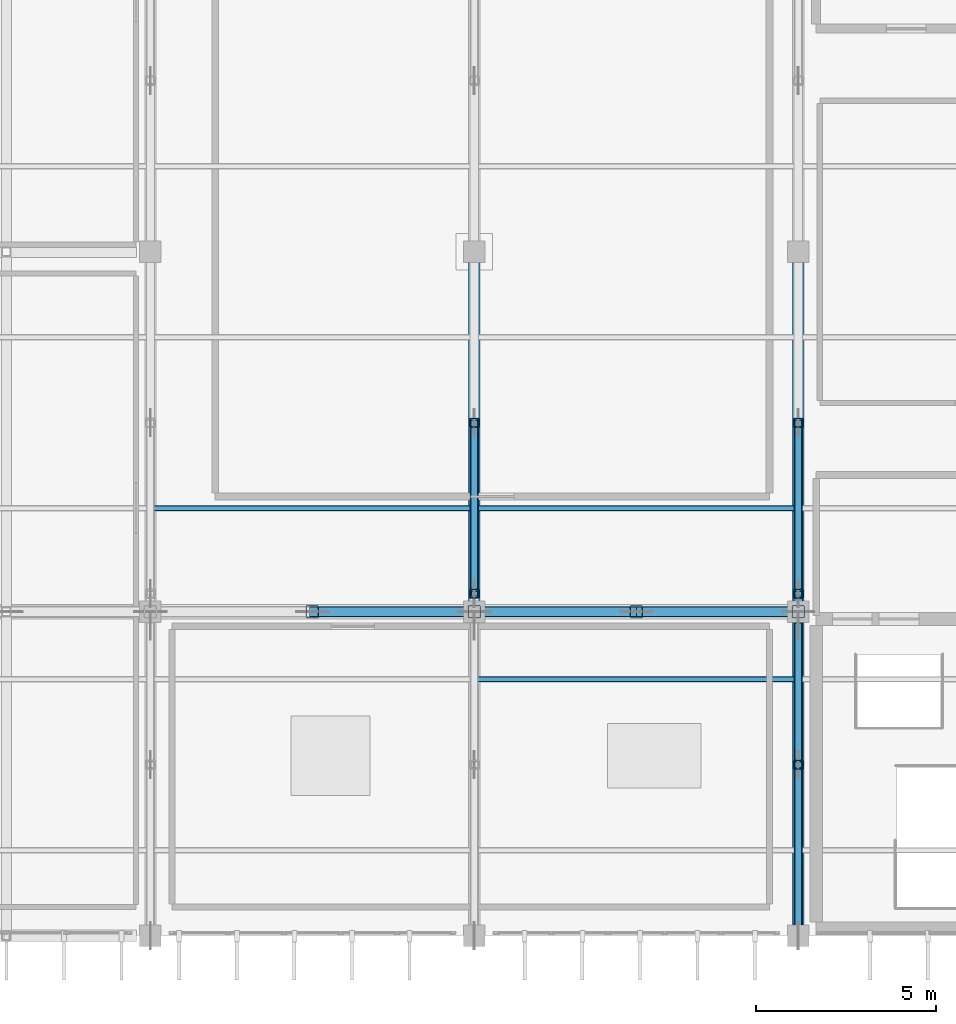
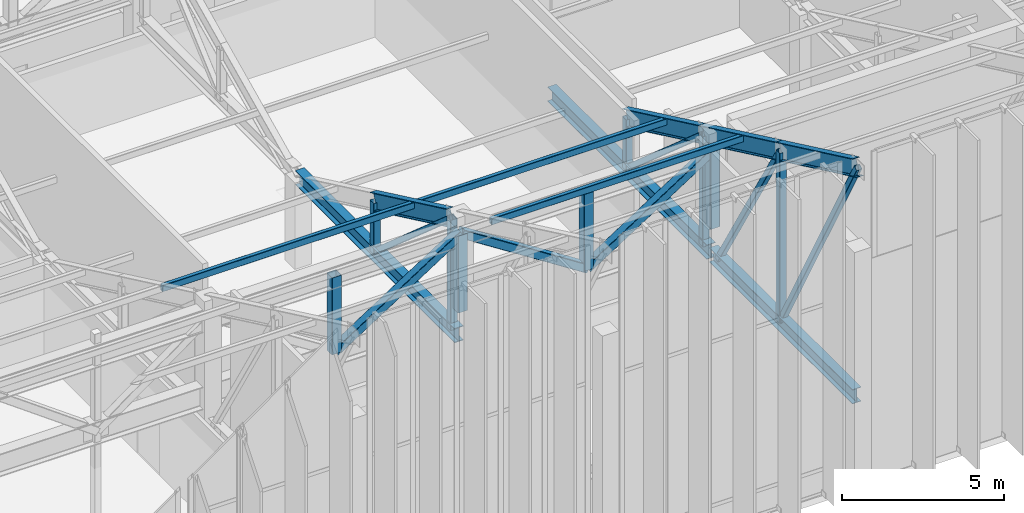
# One storey, part 15 of 68: 19 members, 7 beams.
"""IFC4 building model written with IfcOpenShell, lengths in metres."""

from ifc_helpers import new_model, si_unit, direction, frame, origin, origin_2d, place, context, subcontext, project, spatial, hollow_rectangle, i_section, extrude, material, material_profile, profile_set, type_object, element, save


model = new_model("IFC4")

# Units and contexts
model_context = context("Model", 3, precision=1e-05, world=origin(), true_north=direction((0.0, 1.0)))
body_context = subcontext(model_context, "Body", "Model", "MODEL_VIEW")
ifc_project = project(units=[si_unit("LENGTHUNIT", "METRE"), si_unit("AREAUNIT", "SQUARE_METRE"), si_unit("VOLUMEUNIT", "CUBIC_METRE"), si_unit("PLANEANGLEUNIT", "RADIAN"), si_unit("MASSUNIT", "GRAM", prefix="KILO")], contexts=[model_context])

# Site, building, storey
site_placement = place(None, origin())
site = spatial("IfcSite", under=ifc_project, at=site_placement, CompositionType="ELEMENT")
building_placement = place(site_placement, origin())
building = spatial("IfcBuilding", under=site, at=building_placement, Name="Miravela Opera House", CompositionType="ELEMENT")
storey_placement = place(building_placement, frame((0.0, 0.0, 21.760009765625)))
storey = spatial("IfcBuildingStorey", under=building, at=storey_placement, Name="L05", CompositionType="ELEMENT", Elevation=21.760009765625)

# Beams
ifc_material_1 = material(Name="Structural steel ASTM A992 Gr. 50", Category="steel")
ifc_material_profile_1 = material_profile(ifc_material_1, i_section(OverallWidth=0.31201171875, OverallDepth=0.54296875, WebThickness=0.0126953125, FlangeThickness=0.020263671875, FilletRadius=0.01611328125, at=origin_2d()), Name="W530X150")
ifc_profile_set_1 = profile_set([ifc_material_profile_1])
beam_type_1 = type_object("IfcBeamType", Name="STR-BM-W530X150", PredefinedType="BEAM", material=ifc_profile_set_1)
beam_1_placement = place(storey_placement, frame((36.0, 46.080078125, 3.280029296875), z_axis=(0.0, 1.0, 0.0), x_axis=(-1.0, 0.0, 0.0)))
element("IfcBeam", 1, at=beam_1_placement, inside=storey, type_object=beam_type_1, Name="V-Crest Roof Truss Bottom Tie Chord X=36 Seg 2", PredefinedType="BEAM", context=body_context, shape_type="SweptSolid", body=[
    extrude(i_section(OverallWidth=0.31201171875, OverallDepth=0.54296875, WebThickness=0.0126953125, FlangeThickness=0.020263671875, FilletRadius=0.01611328125, at=origin_2d()), origin(), (0.0, 0.0, 1.0), 9.83984375),
])
beam_2_placement = place(storey_placement, frame((45.0, 37.080078125, 3.280029296875), z_axis=(0.0, 1.0, 0.0), x_axis=(-1.0, 0.0, 0.0)))
element("IfcBeam", 2, at=beam_2_placement, inside=storey, type_object=beam_type_1, Name="V-Crest Roof Truss Bottom Tie Chord X=45 Seg 1", PredefinedType="BEAM", context=body_context, shape_type="SweptSolid", body=[
    extrude(i_section(OverallWidth=0.31201171875, OverallDepth=0.54296875, WebThickness=0.0126953125, FlangeThickness=0.020263671875, FilletRadius=0.01611328125, at=origin_2d()), origin(), (0.0, 0.0, 1.0), 8.83984375),
])
beam_3_placement = place(storey_placement, frame((45.0, 46.080078125, 3.280029296875), z_axis=(0.0, 1.0, 0.0), x_axis=(-1.0, 0.0, 0.0)))
element("IfcBeam", 3, at=beam_3_placement, inside=storey, type_object=beam_type_1, Name="V-Crest Roof Truss Bottom Tie Chord X=45 Seg 2", PredefinedType="BEAM", context=body_context, shape_type="SweptSolid", body=[
    extrude(i_section(OverallWidth=0.31201171875, OverallDepth=0.54296875, WebThickness=0.0126953125, FlangeThickness=0.020263671875, FilletRadius=0.01611328125, at=origin_2d()), origin(), (0.0, 0.0, 1.0), 9.83984375),
])
ifc_material_profile_2 = material_profile(ifc_material_1, i_section(OverallWidth=0.22998046875, OverallDepth=0.616943359375, WebThickness=0.01318359375, FlangeThickness=0.022216796875, FilletRadius=0.01806640625, at=origin_2d()), Name="W610X140")
ifc_profile_set_2 = profile_set([ifc_material_profile_2])
beam_type_2 = type_object("IfcBeamType", Name="STR-BM-W610X140", PredefinedType="BEAM", material=ifc_profile_set_2)
for number, where, z_axis, x_axis, name in (
    (4, (36.0, 46.5, 7.439453125), (0.0, 0.903737838894, -0.428086344739), (-1.0, 0.0, 0.0), "V-Crest Roof Rafter Girder X=36 Seg 3"),
    (5, (45.0, 37.0, 11.939453125), (0.0, 0.903737838894, -0.428086344739), (-1.0, 0.0, 0.0), "V-Crest Roof Rafter Girder X=45 Seg 1"),
    (6, (45.0, 41.75, 9.689453125), (0.0, 0.903737838894, -0.428086344739), (-1.0, 0.0, 0.0), "V-Crest Roof Rafter Girder X=45 Seg 2"),
    (7, (45.0, 46.5, 7.439453125), (0.0, 0.903737838894, -0.428086344739), (-1.0, 0.0, 0.0), "V-Crest Roof Rafter Girder X=45 Seg 3"),
):
    element("IfcBeam", number, at=place(storey_placement, frame(where, z_axis=z_axis, x_axis=x_axis)), inside=storey, type_object=beam_type_2, Name=name, PredefinedType="BEAM", context=body_context, shape_type="SweptSolid", body=[
        extrude(i_section(OverallWidth=0.22998046875, OverallDepth=0.616943359375, WebThickness=0.01318359375, FlangeThickness=0.022216796875, FilletRadius=0.01806640625, at=origin_2d()), origin(), (0.0, 0.0, 1.0), 5.255859375),
    ])

# Members
ifc_material_2 = material(Name="Hollow structural steel ASTM A500 Gr. C", Category="steel")
ifc_material_profile_3 = material_profile(ifc_material_2, hollow_rectangle(XDim=0.300048828125, YDim=0.300048828125, WallThickness=0.01611328125, InnerFilletRadius=0.01611328125, OuterFilletRadius=0.031982421875, at=origin_2d()), Name="HSS300X300X16")
ifc_profile_set_3 = profile_set([ifc_material_profile_3])
member_type_1 = type_object("IfcMemberType", Name="STR-MEM-CANT-DIAG", PredefinedType="BRACE", material=ifc_profile_set_3)
for number, where, z_axis, x_axis, name in (
    (8, (31.5, 46.0, 4.2900390625), (0.84057934116, 0.0, 0.541688444786), (0.0, 1.0, 0.0), "Cantilever Truss CT-02 Attic Web Diagonal 5"),
    (9, (36.0, 46.0, 7.18994140625), (0.84057934116, 0.0, -0.541688444786), (0.0, 1.0, 0.0), "Cantilever Truss CT-02 Attic Web Diagonal 6"),
    (10, (40.5, 46.0, 4.2900390625), (0.84057934116, 0.0, 0.541688444786), (0.0, 1.0, 0.0), "Cantilever Truss CT-02 Attic Web Diagonal 7"),
):
    element("IfcMember", number, at=place(storey_placement, frame(where, z_axis=z_axis, x_axis=x_axis)), inside=storey, type_object=member_type_1, Name=name, PredefinedType="BRACE", context=body_context, shape_type="SweptSolid", body=[
        extrude(hollow_rectangle(XDim=0.300048828125, YDim=0.300048828125, WallThickness=0.01611328125, InnerFilletRadius=0.01611328125, OuterFilletRadius=0.031982421875, at=origin_2d()), origin(), (0.0, 0.0, 1.0), 5.353515625),
    ])
ifc_material_profile_4 = material_profile(ifc_material_2, hollow_rectangle(XDim=0.35009765625, YDim=0.35009765625, WallThickness=0.01611328125, InnerFilletRadius=0.01611328125, OuterFilletRadius=0.031982421875, at=origin_2d()), Name="HSS350X350X16")
ifc_profile_set_4 = profile_set([ifc_material_profile_4])
member_type_2 = type_object("IfcMemberType", Name="STR-MEM-CANT-POST", PredefinedType="POST", material=ifc_profile_set_4)
for number, where, z_axis, x_axis, name in (
    (11, (31.5, 46.0, 4.2900390625), (0.0, 0.0, 1.0), (1.0, 0.0, 0.0), "Cantilever Truss CT-02 Attic Post X=31.5"),
    (12, (36.0, 46.0, 4.2900390625), (0.0, 0.0, 1.0), (1.0, 0.0, 0.0), "Cantilever Truss CT-02 Attic Post X=36.0"),
    (13, (40.5, 46.0, 4.2900390625), (0.0, 0.0, 1.0), (1.0, 0.0, 0.0), "Cantilever Truss CT-02 Attic Post X=40.5"),
    (14, (45.0, 46.0, 4.2900390625), (0.0, 0.0, 1.0), (1.0, 0.0, 0.0), "Cantilever Truss CT-02 Attic Post X=45.0"),
):
    element("IfcMember", number, at=place(storey_placement, frame(where, z_axis=z_axis, x_axis=x_axis)), inside=storey, type_object=member_type_2, Name=name, PredefinedType="POST", context=body_context, shape_type="SweptSolid", body=[
        extrude(hollow_rectangle(XDim=0.35009765625, YDim=0.35009765625, WallThickness=0.01611328125, InnerFilletRadius=0.01611328125, OuterFilletRadius=0.031982421875, at=origin_2d()), origin(), (0.0, 0.0, 1.0), 2.89990234375),
    ])
ifc_material_profile_5 = material_profile(ifc_material_2, hollow_rectangle(XDim=0.25, YDim=0.25, WallThickness=0.011962890625, InnerFilletRadius=0.011962890625, OuterFilletRadius=0.02392578125, at=origin_2d()), Name="HSS250X250X12")
ifc_profile_set_5 = profile_set([ifc_material_profile_5])
member_type_3 = type_object("IfcMemberType", Name="STR-MEM-CANT-POST2", PredefinedType="POST", material=ifc_profile_set_5)
member_1_placement = place(storey_placement, frame((36.0, 46.5, 3.280029296875), z_axis=(0.0, 0.0, 1.0), x_axis=(1.0, 0.0, 0.0)))
element("IfcMember", 15, at=member_1_placement, inside=storey, type_object=member_type_3, Name="V-Crest Roof Truss Panel Post X=36 Node 2", PredefinedType="POST", context=body_context, shape_type="SweptSolid", body=[
    extrude(hollow_rectangle(XDim=0.25, YDim=0.25, WallThickness=0.011962890625, InnerFilletRadius=0.011962890625, OuterFilletRadius=0.02392578125, at=origin_2d()), origin(), (0.0, 0.0, 1.0), 4.159912109375),
])
member_2_placement = place(storey_placement, frame((36.0, 51.25, 3.280029296875), z_axis=(0.0, 0.0, 1.0), x_axis=(1.0, 0.0, 0.0)))
element("IfcMember", 16, at=member_2_placement, inside=storey, type_object=member_type_3, Name="V-Crest Roof Truss Panel Post X=36 Node 3", PredefinedType="POST", context=body_context, shape_type="SweptSolid", body=[
    extrude(hollow_rectangle(XDim=0.25, YDim=0.25, WallThickness=0.011962890625, InnerFilletRadius=0.011962890625, OuterFilletRadius=0.02392578125, at=origin_2d()), origin(), (0.0, 0.0, 1.0), 1.909912109375),
])
member_3_placement = place(storey_placement, frame((45.0, 41.75, 3.280029296875), z_axis=(0.0, 0.0, 1.0), x_axis=(1.0, 0.0, 0.0)))
element("IfcMember", 17, at=member_3_placement, inside=storey, type_object=member_type_3, Name="V-Crest Roof Truss Panel Post X=45 Node 1", PredefinedType="POST", context=body_context, shape_type="SweptSolid", body=[
    extrude(hollow_rectangle(XDim=0.25, YDim=0.25, WallThickness=0.011962890625, InnerFilletRadius=0.011962890625, OuterFilletRadius=0.02392578125, at=origin_2d()), origin(), (0.0, 0.0, 1.0), 6.409912109375),
])
member_4_placement = place(storey_placement, frame((45.0, 46.5, 3.280029296875), z_axis=(0.0, 0.0, 1.0), x_axis=(1.0, 0.0, 0.0)))
element("IfcMember", 18, at=member_4_placement, inside=storey, type_object=member_type_3, Name="V-Crest Roof Truss Panel Post X=45 Node 2", PredefinedType="POST", context=body_context, shape_type="SweptSolid", body=[
    extrude(hollow_rectangle(XDim=0.25, YDim=0.25, WallThickness=0.011962890625, InnerFilletRadius=0.011962890625, OuterFilletRadius=0.02392578125, at=origin_2d()), origin(), (0.0, 0.0, 1.0), 4.159912109375),
])
member_5_placement = place(storey_placement, frame((45.0, 51.25, 3.280029296875), z_axis=(0.0, 0.0, 1.0), x_axis=(1.0, 0.0, 0.0)))
element("IfcMember", 19, at=member_5_placement, inside=storey, type_object=member_type_3, Name="V-Crest Roof Truss Panel Post X=45 Node 3", PredefinedType="POST", context=body_context, shape_type="SweptSolid", body=[
    extrude(hollow_rectangle(XDim=0.25, YDim=0.25, WallThickness=0.011962890625, InnerFilletRadius=0.011962890625, OuterFilletRadius=0.02392578125, at=origin_2d()), origin(), (0.0, 0.0, 1.0), 1.909912109375),
])
ifc_material_profile_6 = material_profile(ifc_material_2, hollow_rectangle(XDim=0.14990234375, YDim=0.25, WallThickness=0.011962890625, InnerFilletRadius=0.011962890625, OuterFilletRadius=0.02392578125, at=origin_2d()), Name="HSS250X150X12")
ifc_profile_set_6 = profile_set([ifc_material_profile_6])
member_type_4 = type_object("IfcMemberType", Name="STR-MEM-PURLIN-1", PredefinedType="PURLIN", material=ifc_profile_set_6)
for number, where, z_axis, x_axis, name in (
    (20, (36.010009765625, 44.125, 8.744873046875), (1.0, 0.0, 0.0), (0.0, 1.0, 0.0), "V-Roof Steel Purlin B2.3"),
    (21, (27.010009765625, 48.875, 6.494873046875), (1.0, 0.0, 0.0), (0.0, 1.0, 0.0), "V-Roof Steel Purlin B3.2"),
    (22, (36.010009765625, 48.875, 6.494873046875), (1.0, 0.0, 0.0), (0.0, 1.0, 0.0), "V-Roof Steel Purlin B3.3"),
):
    element("IfcMember", number, at=place(storey_placement, frame(where, z_axis=z_axis, x_axis=x_axis)), inside=storey, type_object=member_type_4, Name=name, PredefinedType="PURLIN", context=body_context, shape_type="SweptSolid", body=[
        extrude(hollow_rectangle(XDim=0.14990234375, YDim=0.25, WallThickness=0.011962890625, InnerFilletRadius=0.011962890625, OuterFilletRadius=0.02392578125, at=origin_2d()), origin(), (0.0, 0.0, 1.0), 8.97998046875),
    ])
ifc_material_profile_7 = material_profile(ifc_material_2, hollow_rectangle(XDim=0.199951171875, YDim=0.199951171875, WallThickness=0.010009765625, InnerFilletRadius=0.010009765625, OuterFilletRadius=0.02001953125, at=origin_2d()), Name="HSS200X200X10")
ifc_profile_set_7 = profile_set([ifc_material_profile_7])
member_type_5 = type_object("IfcMemberType", Name="STR-MEM-WEDGE-WEB", PredefinedType="BRACE", material=ifc_profile_set_7)
member_6_placement = place(storey_placement, frame((36.0, 51.25, 3.280029296875), z_axis=(0.0, -0.752289193007, 0.658833036577), x_axis=(1.0, 0.0, 0.0)))
element("IfcMember", 23, at=member_6_placement, inside=storey, type_object=member_type_5, Name="V-Crest Roof Truss Web Diagonal X=36 Bay 3", PredefinedType="BRACE", context=body_context, shape_type="SweptSolid", body=[
    extrude(hollow_rectangle(XDim=0.199951171875, YDim=0.199951171875, WallThickness=0.010009765625, InnerFilletRadius=0.010009765625, OuterFilletRadius=0.02001953125, at=origin_2d()), origin(), (0.0, 0.0, 1.0), 6.31396484375),
])
member_7_placement = place(storey_placement, frame((45.0, 41.75, 3.280029296875), z_axis=(0.0, -0.480911686794, 0.876769040001), x_axis=(1.0, 0.0, 0.0)))
element("IfcMember", 24, at=member_7_placement, inside=storey, type_object=member_type_5, Name="V-Crest Roof Truss Web Diagonal X=45 Bay 1", PredefinedType="BRACE", context=body_context, shape_type="SweptSolid", body=[
    extrude(hollow_rectangle(XDim=0.199951171875, YDim=0.199951171875, WallThickness=0.010009765625, InnerFilletRadius=0.010009765625, OuterFilletRadius=0.02001953125, at=origin_2d()), origin(), (0.0, 0.0, 1.0), 9.876953125),
])
member_8_placement = place(storey_placement, frame((45.0, 45.60009765625, 3.280029296875), z_axis=(0.0, -0.514903832718, 0.857247947243), x_axis=(1.0, 0.0, 0.0)))
element("IfcMember", 25, at=member_8_placement, inside=storey, type_object=member_type_5, Name="V-Crest Roof Truss Web Diagonal X=45 Bay 2", PredefinedType="BRACE", context=body_context, shape_type="SweptSolid", body=[
    extrude(hollow_rectangle(XDim=0.199951171875, YDim=0.199951171875, WallThickness=0.010009765625, InnerFilletRadius=0.010009765625, OuterFilletRadius=0.02001953125, at=origin_2d()), origin(), (0.0, 0.0, 1.0), 7.477294921875),
])
member_9_placement = place(storey_placement, frame((45.0, 51.25, 3.280029296875), z_axis=(0.0, -0.752289193007, 0.658833036577), x_axis=(1.0, 0.0, 0.0)))
element("IfcMember", 26, at=member_9_placement, inside=storey, type_object=member_type_5, Name="V-Crest Roof Truss Web Diagonal X=45 Bay 3", PredefinedType="BRACE", context=body_context, shape_type="SweptSolid", body=[
    extrude(hollow_rectangle(XDim=0.199951171875, YDim=0.199951171875, WallThickness=0.010009765625, InnerFilletRadius=0.010009765625, OuterFilletRadius=0.02001953125, at=origin_2d()), origin(), (0.0, 0.0, 1.0), 6.31396484375),
])

save(model, "model.ifc")
